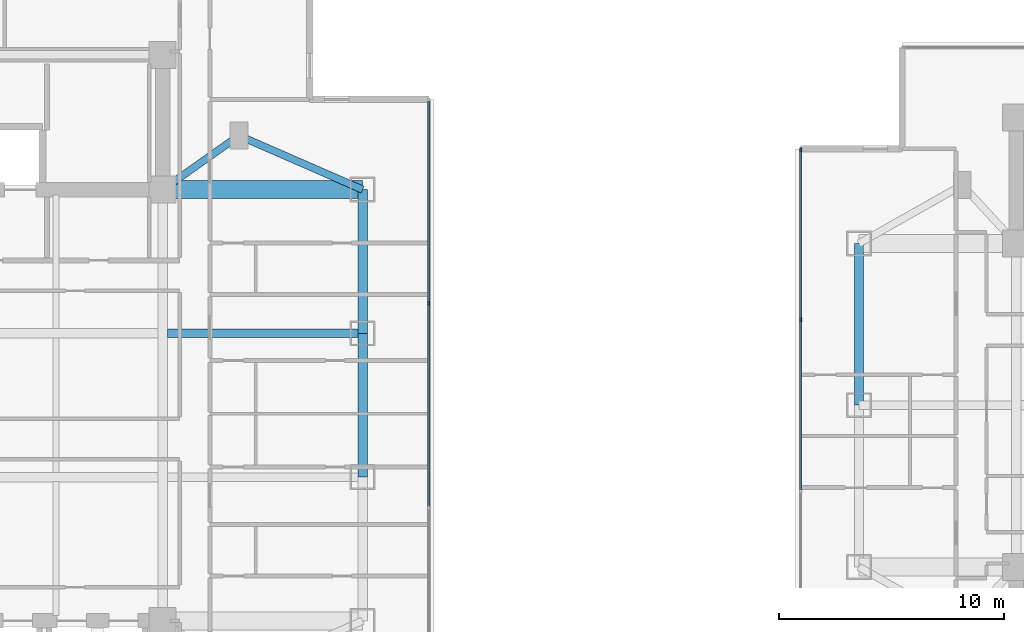
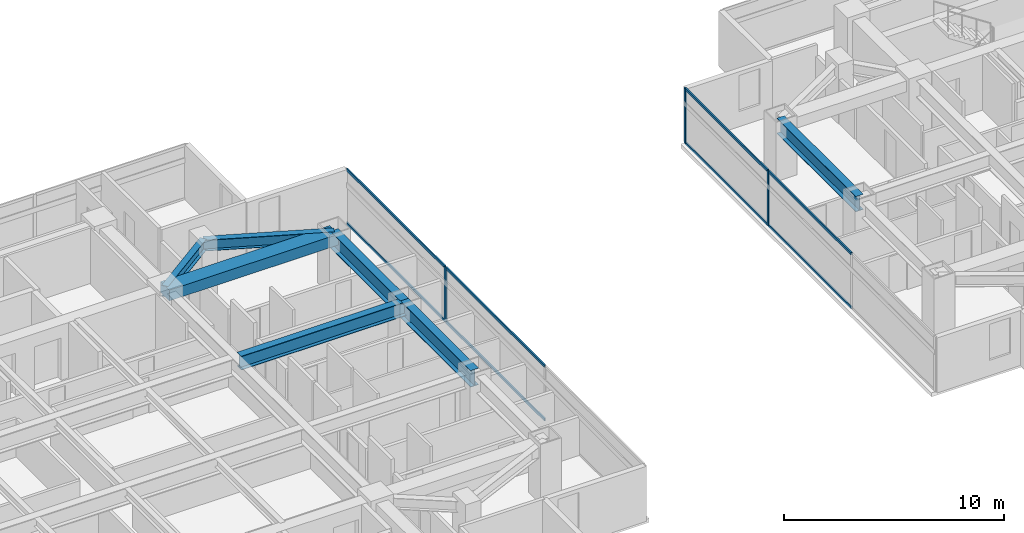
# One storey, part 5 of 24: 11 members, 7 beams, 2 elements without a shape of their own.
"""IFC4 building model written with IfcOpenShell, lengths in metres."""

from ifc_helpers import new_model, si_unit, direction, frame, origin, origin_2d, place, context, subcontext, project, spatial, rectangle, i_section, extrude, material, material_profile, profile_set, type_object, element, aggregate, save


model = new_model("IFC4")

# Units and contexts
model_context = context("Model", 3, precision=1e-05, world=origin(), true_north=direction((0.0, 1.0)))
body_context = subcontext(model_context, "Body", "Model", "MODEL_VIEW")
ifc_project = project(units=[si_unit("LENGTHUNIT", "METRE"), si_unit("AREAUNIT", "SQUARE_METRE"), si_unit("VOLUMEUNIT", "CUBIC_METRE"), si_unit("PLANEANGLEUNIT", "RADIAN"), si_unit("MASSUNIT", "GRAM", prefix="KILO")], contexts=[model_context])

# Site, building, storey
site_placement = place(None, origin())
site = spatial("IfcSite", under=ifc_project, at=site_placement, CompositionType="ELEMENT")
building_placement = place(site_placement, origin())
building = spatial("IfcBuilding", under=site, at=building_placement, Name="Mirazonda Arch Towers", CompositionType="ELEMENT")
storey_placement = place(building_placement, frame((0.0, 0.0, 101.60009765625)))
storey = spatial("IfcBuildingStorey", under=building, at=storey_placement, Name="L28", CompositionType="ELEMENT", Elevation=101.60009765625)

# Beams
ifc_material_1 = material(Name="Steel ASTM A992 Grade 50", Category="steel")
ifc_material_profile_1 = material_profile(ifc_material_1, i_section(OverallWidth=0.39990234375, OverallDepth=0.85595703125, WebThickness=0.018310546875, FlangeThickness=0.029296875, at=origin_2d()), Name="W33X201")
ifc_profile_set_1 = profile_set([ifc_material_profile_1], Name="Steel ASTM A992 Grade 50")
beam_type_1 = type_object("IfcBeamType", Name="BM-EXT-W33X201", PredefinedType="USERDEFINED", material=ifc_profile_set_1)
beam_1_placement = place(storey_placement, frame((61.0, 28.0, 2.65185546875), z_axis=(0.0, 1.0, 0.0), x_axis=(-1.0, 0.0, 0.0)))
element("IfcBeam", 1, at=beam_1_placement, inside=storey, type_object=beam_type_1, Name="L28 Floor Beam BM-T2-L28-NS-W-28", ObjectType="GIRDER", PredefinedType="USERDEFINED", context=body_context, shape_type="SweptSolid", body=[
    extrude(i_section(OverallWidth=0.39990234375, OverallDepth=0.85595703125, WebThickness=0.018310546875, FlangeThickness=0.029296875, at=origin_2d()), origin(), (0.0, 0.0, 1.0), 7.199951171875),
])
ifc_material_profile_2 = material_profile(ifc_material_1, i_section(OverallWidth=0.41796875, OverallDepth=0.927001953125, WebThickness=0.019287109375, FlangeThickness=0.031982421875, at=origin_2d()), Name="W36X231")
ifc_profile_set_2 = profile_set([ifc_material_profile_2], Name="Steel ASTM A992 Grade 50")
beam_type_2 = type_object("IfcBeamType", Name="BM-EXT-W36X231", PredefinedType="USERDEFINED", material=ifc_profile_set_2)
beam_2_placement = place(storey_placement, frame((38.89990234375, 24.800048828125, 2.616455078125), z_axis=(0.0, 1.0, 0.0), x_axis=(-1.0, 0.0, 0.0)))
element("IfcBeam", 2, at=beam_2_placement, inside=storey, type_object=beam_type_2, Name="L28 Floor Beam BM-T1-L28-NS-E-24", ObjectType="GIRDER", PredefinedType="USERDEFINED", context=body_context, shape_type="SweptSolid", body=[
    extrude(i_section(OverallWidth=0.41796875, OverallDepth=0.927001953125, WebThickness=0.019287109375, FlangeThickness=0.031982421875, at=origin_2d()), origin(), (0.0, 0.0, 1.0), 6.39990234375),
])
beam_3_placement = place(storey_placement, frame((38.89990234375, 31.199951171875, 2.616455078125), z_axis=(0.0, 1.0, 0.0), x_axis=(-1.0, 0.0, 0.0)))
element("IfcBeam", 3, at=beam_3_placement, inside=storey, type_object=beam_type_2, Name="L28 Floor Beam BM-T1-L28-NS-E-31", ObjectType="GIRDER", PredefinedType="USERDEFINED", context=body_context, shape_type="SweptSolid", body=[
    extrude(i_section(OverallWidth=0.41796875, OverallDepth=0.927001953125, WebThickness=0.019287109375, FlangeThickness=0.031982421875, at=origin_2d()), origin(), (0.0, 0.0, 1.0), 6.400146484375),
])
ifc_material_profile_3 = material_profile(ifc_material_1, i_section(OverallWidth=0.324951171875, OverallDepth=0.615966796875, WebThickness=0.013916015625, FlangeThickness=0.021484375, at=origin_2d()), Name="W24X117")
ifc_profile_set_3 = profile_set([ifc_material_profile_3], Name="Steel ASTM A992 Grade 50")
beam_type_3 = type_object("IfcBeamType", Name="BM-INT-W24X117", PredefinedType="BEAM", material=ifc_profile_set_3)
beam_4_placement = place(storey_placement, frame((33.39990234375, 40.0, 2.77197265625), z_axis=(-0.816971114901, -0.576678591087, 0.0), x_axis=(0.576678591087, -0.816971114901, 0.0)))
element("IfcBeam", 4, at=beam_4_placement, inside=storey, type_object=beam_type_3, Name="L28 Floor Beam BM-T1-L28-PL-NE1", PredefinedType="BEAM", context=body_context, shape_type="SweptSolid", body=[
    extrude(i_section(OverallWidth=0.324951171875, OverallDepth=0.615966796875, WebThickness=0.013916015625, FlangeThickness=0.021484375, at=origin_2d()), origin(), (0.0, 0.0, 1.0), 4.16162109375),
])
beam_5_placement = place(storey_placement, frame((33.39990234375, 40.0, 2.77197265625), z_axis=(0.916545343703, -0.399930785183, 0.0), x_axis=(0.399930785183, 0.916545343703, 0.0)))
element("IfcBeam", 5, at=beam_5_placement, inside=storey, type_object=beam_type_3, Name="L28 Floor Beam BM-T1-L28-PL-NE2", PredefinedType="BEAM", context=body_context, shape_type="SweptSolid", body=[
    extrude(i_section(OverallWidth=0.324951171875, OverallDepth=0.615966796875, WebThickness=0.013916015625, FlangeThickness=0.021484375, at=origin_2d()), origin(), (0.0, 0.0, 1.0), 6.000732421875),
])
ifc_material_profile_4 = material_profile(ifc_material_1, i_section(OverallWidth=0.381103515625, OverallDepth=0.77294921875, WebThickness=0.0166015625, FlangeThickness=0.027099609375, at=origin_2d()), Name="W30X173")
ifc_profile_set_4 = profile_set([ifc_material_profile_4], Name="Steel ASTM A992 Grade 50")
beam_type_4 = type_object("IfcBeamType", Name="BM-INT-W30X173", PredefinedType="USERDEFINED", material=ifc_profile_set_4)
beam_6_placement = place(storey_placement, frame((30.21142578125, 31.199951171875, 2.693359375), z_axis=(1.0, 0.0, 0.0), x_axis=(0.0, 1.0, 0.0)))
element("IfcBeam", 6, at=beam_6_placement, inside=storey, type_object=beam_type_4, Name="L28 Floor Beam BM-T1-L28-GE3", ObjectType="GIRDER", PredefinedType="USERDEFINED", context=body_context, shape_type="SweptSolid", body=[
    extrude(i_section(OverallWidth=0.381103515625, OverallDepth=0.77294921875, WebThickness=0.0166015625, FlangeThickness=0.027099609375, at=origin_2d()), origin(), (0.0, 0.0, 1.0), 8.6884765625),
])
ifc_material_2 = material(Name="Concrete C60/75", Category="concrete")
ifc_material_profile_5 = material_profile(ifc_material_2, rectangle(XDim=0.800048828125, YDim=0.60009765625, at=origin_2d()), Name="RCCB800x600")
ifc_profile_set_5 = profile_set([ifc_material_profile_5], Name="Concrete C60/75")
beam_type_5 = type_object("IfcBeamType", Name="CB-INT-RCCB800x600", PredefinedType="SPANDREL", material=ifc_profile_set_5)
beam_7_placement = place(storey_placement, frame((30.0, 37.60009765625, 2.77978515625), z_axis=(1.0, 0.0, 0.0), x_axis=(0.0, 1.0, 0.0)))
element("IfcBeam", 7, at=beam_7_placement, inside=storey, type_object=beam_type_5, Name="L28 Floor Beam CBC-T1-L28-NE", PredefinedType="SPANDREL", context=body_context, shape_type="SweptSolid", body=[
    extrude(rectangle(XDim=0.800048828125, YDim=0.60009765625, at=origin_2d()), origin(), (0.0, 0.0, 1.0), 8.89990234375),
])

# Curtain wall, member
ifc_material_3 = material(Name="Anodised Aluminium and Low-E Glass", Category="aluminium")
curtain_wall_type = type_object("IfcCurtainWallType", Name="CW-HTL-UNIT", PredefinedType="NOTDEFINED", material=ifc_material_3)
curtain_wall_1_placement = place(storey_placement, origin())
curtain_wall_1 = element("IfcCurtainWall", 8, at=curtain_wall_1_placement, inside=storey, type_object=curtain_wall_type, Name="L28 T1 E Facade CW-L28-T1-E", PredefinedType="NOTDEFINED")
ifc_material_4 = material(Name="Anodised Aluminium Alloy", Category="aluminium")
ifc_material_profile_6 = material_profile(ifc_material_4, rectangle(XDim=0.074951171875, YDim=0.1650390625, at=origin_2d()), Name="ALU-MULL-75x165")
ifc_profile_set_6 = profile_set([ifc_material_profile_6], Name="Anodised Aluminium Alloy")
member_type_1 = type_object("IfcMemberType", Name="MULL-CW-HTL-UNIT", PredefinedType="MULLION", material=ifc_profile_set_6)
member_1_placement = place(storey_placement, frame((41.85009765625, 32.5390625, 0.0), z_axis=(0.0, 0.0, 1.0), x_axis=(-1.0, 0.0, 0.0)))
member_1 = element("IfcMember", 9, at=member_1_placement, type_object=member_type_1, Name="CW-112 mullion 3", PredefinedType="MULLION", context=body_context, shape_type="SweptSolid", body=[
    extrude(rectangle(XDim=0.074951171875, YDim=0.1650390625, at=origin_2d()), origin(), (0.0, 0.0, 1.0), 3.059814453125),
])

# Curtain wall, members
curtain_wall_2_placement = place(storey_placement, origin())
curtain_wall_2 = element("IfcCurtainWall", 10, at=curtain_wall_2_placement, inside=storey, type_object=curtain_wall_type, Name="L28 T2 W Facade CW-L28-T2-W", PredefinedType="NOTDEFINED")
member_2_placement = place(storey_placement, frame((58.405517578125, 39.376953125, 0.0), z_axis=(0.0, 0.0, 1.0), x_axis=(1.0, 0.0, 0.0)))
member_2 = element("IfcMember", 11, at=member_2_placement, type_object=member_type_1, Name="CW-112 mullion 1", PredefinedType="MULLION", context=body_context, shape_type="SweptSolid", body=[
    extrude(rectangle(XDim=0.074951171875, YDim=0.1650390625, at=origin_2d()), origin(), (0.0, 0.0, 1.0), 3.059814453125),
])
member_3_placement = place(storey_placement, frame((58.405517578125, 31.8046875, 0.0), z_axis=(0.0, 0.0, 1.0), x_axis=(1.0, 0.0, 0.0)))
member_3 = element("IfcMember", 12, at=member_3_placement, type_object=member_type_1, Name="CW-112 mullion 2", PredefinedType="MULLION", context=body_context, shape_type="SweptSolid", body=[
    extrude(rectangle(XDim=0.074951171875, YDim=0.1650390625, at=origin_2d()), origin(), (0.0, 0.0, 1.0), 3.059814453125),
])

# Member
ifc_material_profile_7 = material_profile(ifc_material_4, rectangle(XDim=0.074951171875, YDim=0.14501953125, at=origin_2d()), Name="ALU-TRAN-75x145")
ifc_profile_set_7 = profile_set([ifc_material_profile_7], Name="Anodised Aluminium Alloy")
member_type_2 = type_object("IfcMemberType", Name="TRAN-CW-HTL-UNIT", PredefinedType="USERDEFINED", material=ifc_profile_set_7)
member_4_placement = place(storey_placement, frame((41.85009765625, 23.49853515625, 0.037353515625), z_axis=(0.0, 1.0, 0.0), x_axis=(-1.0, 0.0, 0.0)))
member_4 = element("IfcMember", 13, at=member_4_placement, type_object=member_type_2, Name="CW-112 transom 2.1", ObjectType="TRANSOM", PredefinedType="USERDEFINED", context=body_context, shape_type="SweptSolid", body=[
    extrude(rectangle(XDim=0.074951171875, YDim=0.14501953125, at=origin_2d()), origin(), (0.0, 0.0, 1.0), 9.0029296875),
])

member_5_placement = place(storey_placement, frame((41.85009765625, 23.49853515625, 3.0224609375), z_axis=(0.0, 1.0, 0.0), x_axis=(-1.0, 0.0, 0.0)))
member_5 = element("IfcMember", 14, at=member_5_placement, type_object=member_type_2, Name="CW-112 transom 2.2", ObjectType="TRANSOM", PredefinedType="USERDEFINED", context=body_context, shape_type="SweptSolid", body=[
    extrude(rectangle(XDim=0.074951171875, YDim=0.14501953125, at=origin_2d()), origin(), (0.0, 0.0, 1.0), 9.0029296875),
])

member_6_placement = place(storey_placement, frame((41.85009765625, 32.576416015625, 0.037353515625), z_axis=(0.0, 1.0, 0.0), x_axis=(-1.0, 0.0, 0.0)))
member_6 = element("IfcMember", 15, at=member_6_placement, type_object=member_type_2, Name="CW-112 transom 3.1", ObjectType="TRANSOM", PredefinedType="USERDEFINED", context=body_context, shape_type="SweptSolid", body=[
    extrude(rectangle(XDim=0.074951171875, YDim=0.14501953125, at=origin_2d()), origin(), (0.0, 0.0, 1.0), 8.965576171875),
])

member_7_placement = place(storey_placement, frame((41.85009765625, 32.576416015625, 3.0224609375), z_axis=(0.0, 1.0, 0.0), x_axis=(-1.0, 0.0, 0.0)))
member_7 = element("IfcMember", 16, at=member_7_placement, type_object=member_type_2, Name="CW-112 transom 3.2", ObjectType="TRANSOM", PredefinedType="USERDEFINED", context=body_context, shape_type="SweptSolid", body=[
    extrude(rectangle(XDim=0.074951171875, YDim=0.14501953125, at=origin_2d()), origin(), (0.0, 0.0, 1.0), 8.965576171875),
])

aggregate(curtain_wall_1, [member_1, member_4, member_5, member_6, member_7])

member_8_placement = place(storey_placement, frame((58.405517578125, 39.33935546875, 0.037353515625), z_axis=(0.0, -1.0, 0.0), x_axis=(1.0, 0.0, 0.0)))
member_8 = element("IfcMember", 17, at=member_8_placement, type_object=member_type_2, Name="CW-112 transom 1.1", ObjectType="TRANSOM", PredefinedType="USERDEFINED", context=body_context, shape_type="SweptSolid", body=[
    extrude(rectangle(XDim=0.074951171875, YDim=0.14501953125, at=origin_2d()), origin(), (0.0, 0.0, 1.0), 7.4970703125),
])

member_9_placement = place(storey_placement, frame((58.405517578125, 39.33935546875, 3.0224609375), z_axis=(0.0, -1.0, 0.0), x_axis=(1.0, 0.0, 0.0)))
member_9 = element("IfcMember", 18, at=member_9_placement, type_object=member_type_2, Name="CW-112 transom 1.2", ObjectType="TRANSOM", PredefinedType="USERDEFINED", context=body_context, shape_type="SweptSolid", body=[
    extrude(rectangle(XDim=0.074951171875, YDim=0.14501953125, at=origin_2d()), origin(), (0.0, 0.0, 1.0), 7.4970703125),
])

member_10_placement = place(storey_placement, frame((58.405517578125, 31.767333984375, 0.037353515625), z_axis=(0.0, -1.0, 0.0), x_axis=(1.0, 0.0, 0.0)))
member_10 = element("IfcMember", 19, at=member_10_placement, type_object=member_type_2, Name="CW-112 transom 2.1", ObjectType="TRANSOM", PredefinedType="USERDEFINED", context=body_context, shape_type="SweptSolid", body=[
    extrude(rectangle(XDim=0.074951171875, YDim=0.14501953125, at=origin_2d()), origin(), (0.0, 0.0, 1.0), 7.53466796875),
])

member_11_placement = place(storey_placement, frame((58.405517578125, 31.767333984375, 3.0224609375), z_axis=(0.0, -1.0, 0.0), x_axis=(1.0, 0.0, 0.0)))
member_11 = element("IfcMember", 20, at=member_11_placement, type_object=member_type_2, Name="CW-112 transom 2.2", ObjectType="TRANSOM", PredefinedType="USERDEFINED", context=body_context, shape_type="SweptSolid", body=[
    extrude(rectangle(XDim=0.074951171875, YDim=0.14501953125, at=origin_2d()), origin(), (0.0, 0.0, 1.0), 7.53466796875),
])

aggregate(curtain_wall_2, [member_2, member_3, member_8, member_9, member_10, member_11])

save(model, "model.ifc")
